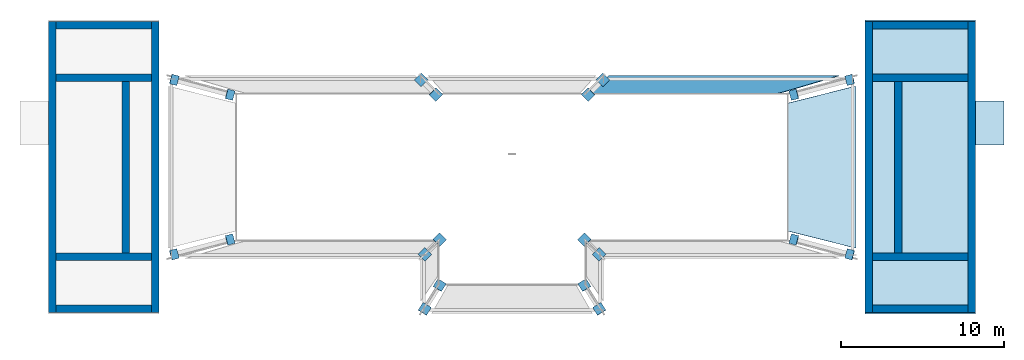
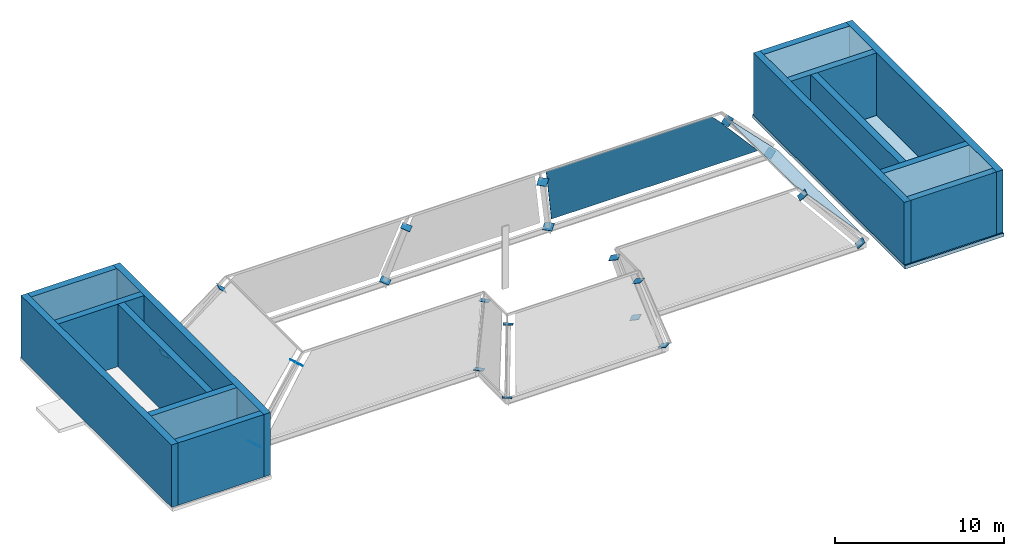
# One storey, part 2 of 5: 20 discrete accessories, 14 walls, 3 slabs, 2 plates, 2 elements without a shape of their own.
"""IFC4 building model written with IfcOpenShell, lengths in metres."""

import ifcopenshell
import ifcopenshell.guid

model = None  # the IFC model being written
_history = None  # IfcOwnerHistory: only IFC2X3 demands one
_inside = {}  # id of a spatial element -> (the spatial element, [elements in it])
_under = {}  # id of a project, library or spatial element -> (it, [spatial elements below it])
_declared = {}  # id of a project -> (the project, [libraries it declares])
_typed = {}  # id of a type object -> (the type object, [elements of that type])
_made_of = {}  # id of a material, layer set ... -> (it, [elements and type objects made of it])


def new_model(schema):
    """Start an empty IFC model of exactly this schema.

    Asked for "IFC4X3", IfcOpenShell would pick the latest addendum, in which some entities
    have other attributes; the version numbers below select the first issue.
    IFC2X3 requires an IfcOwnerHistory on every rooted entity: one is made here for all.
    """
    global model, _history
    if schema == "IFC4X3":
        model = ifcopenshell.file(schema_version=(4, 3, 0, 0))
    else:
        model = ifcopenshell.file(schema=schema)
    _inside.clear()
    _under.clear()
    _declared.clear()
    _typed.clear()
    _made_of.clear()
    _history = None
    if model.schema == "IFC2X3":
        org = make("IfcOrganization", Name="unknown")
        user = make(
            "IfcPersonAndOrganization",
            ThePerson=make("IfcPerson", FamilyName="unknown"),
            TheOrganization=org,
        )
        app = make(
            "IfcApplication",
            ApplicationDeveloper=org,
            Version="unknown",
            ApplicationFullName="unknown",
            ApplicationIdentifier="unknown",
        )
        _history = make(
            "IfcOwnerHistory",
            OwningUser=user,
            OwningApplication=app,
            ChangeAction="ADDED",
            CreationDate=0,
        )
    return model


def make(cls, **values):
    """One entity of the class cls with the attributes given. An attribute that is None is left unset."""
    return model.create_entity(
        cls, **{name: value for name, value in values.items() if value is not None}
    )


def rooted(cls, **values):
    """An entity with a GlobalId (a new one), such as an element, a storey or a relation."""
    return make(cls, GlobalId=ifcopenshell.guid.new(), OwnerHistory=_history, **values)


def si_unit(unit_type, name, prefix=None):
    """IfcSIUnit, for example si_unit("LENGTHUNIT", "METRE", prefix="MILLI")."""
    return make("IfcSIUnit", UnitType=unit_type, Prefix=prefix, Name=name)


def assignment(units):
    """IfcUnitAssignment: the units of a project."""
    return None if units is None else make("IfcUnitAssignment", Units=units)


def point(xyz):
    """IfcCartesianPoint."""
    return None if xyz is None else make("IfcCartesianPoint", Coordinates=xyz)


def direction(xyz):
    """IfcDirection."""
    return None if xyz is None else make("IfcDirection", DirectionRatios=xyz)


def frame(location, z_axis=None, x_axis=None):
    """IfcAxis2Placement3D, a coordinate frame: its origin and axes. An axis left out is left unset."""
    return make(
        "IfcAxis2Placement3D",
        Location=point(location),
        Axis=direction(z_axis),
        RefDirection=direction(x_axis),
    )


def frame_2d(location, x_axis=None):
    """IfcAxis2Placement2D, a coordinate frame in the plane: its origin and x axis."""
    return make(
        "IfcAxis2Placement2D", Location=point(location), RefDirection=direction(x_axis)
    )


def origin():
    """The frame at (0, 0, 0) with its axes left unset."""
    return frame((0.0, 0.0, 0.0))


def origin_2d():
    """The frame at (0, 0) in the plane with its x axis left unset."""
    return frame_2d((0.0, 0.0))


def place(relative_to, where):
    """IfcLocalPlacement: puts the frame where relative to a parent placement (None: the world)."""
    return make(
        "IfcLocalPlacement", PlacementRelTo=relative_to, RelativePlacement=where
    )


def context(
    kind, dimensions, precision=None, world=None, true_north=None, identifier=None
):
    """IfcGeometricRepresentationContext, for example the 3D "Model" context."""
    return make(
        "IfcGeometricRepresentationContext",
        ContextIdentifier=identifier,
        ContextType=kind,
        CoordinateSpaceDimension=dimensions,
        Precision=precision,
        WorldCoordinateSystem=world,
        TrueNorth=true_north,
    )


def subcontext(parent, identifier, kind, view, scale=None):
    """IfcGeometricRepresentationSubContext, for example "Body" below "Model"."""
    return make(
        "IfcGeometricRepresentationSubContext",
        ContextIdentifier=identifier,
        ContextType=kind,
        ParentContext=parent,
        TargetScale=scale,
        TargetView=view,
    )


def project(units=None, contexts=None):
    """IfcProject with its units and contexts."""
    return rooted(
        "IfcProject",
        Name="project",
        RepresentationContexts=contexts,
        UnitsInContext=assignment(units),
    )


def spatial(cls, under=None, at=None, **own):
    """A site, building, storey or space (cls), placed at a placement, below another one or the project."""
    s = rooted(cls, ObjectPlacement=at, **own)
    if under is not None:
        _under.setdefault(under.id(), (under, []))[1].append(s)
    return s


def polyline(points):
    """IfcPolyline through the points."""
    return make("IfcPolyline", Points=[point(p) for p in points])


def profile(cls, at=None, kind="AREA", **sizes):
    """A parametric profile (cls). Its sizes go by their IFC names, for example OverallWidth=200.0."""
    return make(cls, ProfileType=kind, Position=at, **sizes)


def rectangle(**sizes):
    """IfcRectangleProfileDef."""
    return profile("IfcRectangleProfileDef", **sizes)


def outline(outer, holes=None, kind="AREA"):
    """IfcArbitraryClosedProfileDef: a profile drawn as a closed curve; with holes, ...WithVoids."""
    if holes is None:
        return make("IfcArbitraryClosedProfileDef", ProfileType=kind, OuterCurve=outer)
    return make(
        "IfcArbitraryProfileDefWithVoids",
        ProfileType=kind,
        OuterCurve=outer,
        InnerCurves=holes,
    )


def extrude(swept, where, along, depth):
    """IfcExtrudedAreaSolid: the profile swept, set in the frame where, extruded along a direction by depth."""
    return make(
        "IfcExtrudedAreaSolid",
        SweptArea=swept,
        Position=where,
        ExtrudedDirection=direction(along),
        Depth=depth,
    )


def shape(context_of_items, identifier, shape_type, items):
    """IfcShapeRepresentation: the items that make up one representation, for example the "Body"."""
    return make(
        "IfcShapeRepresentation",
        ContextOfItems=context_of_items,
        RepresentationIdentifier=identifier,
        RepresentationType=shape_type,
        Items=items,
    )


def material(Name=None, Category=None):
    """IfcMaterial."""
    return make("IfcMaterial", Name=Name, Category=Category)


def layer(
    of_material, thickness, ventilated=None, Name=None, Category=None, Priority=None
):
    """IfcMaterialLayer: one layer of a wall or slab, of a material (None: an air gap)."""
    return make(
        "IfcMaterialLayer",
        Material=of_material,
        LayerThickness=thickness,
        IsVentilated=ventilated,
        Name=Name,
        Category=Category,
        Priority=Priority,
    )


def layer_set(layers, Name=None):
    """IfcMaterialLayerSet."""
    return make("IfcMaterialLayerSet", MaterialLayers=layers, LayerSetName=Name)


def material_profile(
    of_material, cross_section, Name=None, Category=None, Priority=None
):
    """IfcMaterialProfile: a cross section and its material."""
    return make(
        "IfcMaterialProfile",
        Name=Name,
        Material=of_material,
        Profile=cross_section,
        Priority=Priority,
        Category=Category,
    )


def profile_set(profiles, Name=None, composite=None):
    """IfcMaterialProfileSet."""
    return make(
        "IfcMaterialProfileSet",
        Name=Name,
        MaterialProfiles=profiles,
        CompositeProfile=composite,
    )


def made_of(thing, what):
    """Note that an element or type object is made of a material, layer set ...; save() writes the relation."""
    if what is not None:
        _made_of.setdefault(what.id(), (what, []))[1].append(thing)
    return thing


def type_object(cls, material=None, **own):
    """A type object (cls), such as IfcWallType, which elements share."""
    return made_of(rooted(cls, **own), material)


def element(
    cls,
    number,
    at=None,
    inside=None,
    cuts=None,
    type_object=None,
    material=None,
    context=None,
    identifier="Body",
    shape_type=None,
    held_by="IfcProductDefinitionShape",
    body=None,
    shapes=None,
    **own,
):
    """One element of the class cls, such as IfcWall. Its Tag is "e" and its number.

    at: its placement. inside: the storey or other place that contains it. cuts: it is an
    opening in that element (IfcRelVoidsElement). A single representation is given by context,
    identifier, shape_type and body (its items); several are given by shapes. held_by: the class
    of the entity that holds the representations. save() writes the other relations.
    """
    e = rooted(cls, Tag="e%d" % number, ObjectPlacement=at, **own)
    if body is not None:
        shapes = [shape(context, identifier, shape_type, body)]
    if shapes is not None:
        e.Representation = make(held_by, Representations=shapes)
    if inside is not None:
        _inside.setdefault(inside.id(), (inside, []))[1].append(e)
    if cuts is not None:
        rooted(
            "IfcRelVoidsElement", RelatingBuildingElement=cuts, RelatedOpeningElement=e
        )
    if type_object is not None:
        _typed.setdefault(type_object.id(), (type_object, []))[1].append(e)
    return made_of(e, material)


def aggregate(whole, parts):
    """IfcRelAggregates: a whole, such as a stair, and the parts it consists of."""
    return rooted("IfcRelAggregates", RelatingObject=whole, RelatedObjects=parts)


def save(model, path):
    """Write the relations noted so far, then the file.

    IfcRelAggregates (storeys below a building ...), IfcRelContainedInSpatialStructure (elements
    in a storey), IfcRelDefinesByType, IfcRelAssociatesMaterial and IfcRelDeclares: one each for
    every whole, place, type object, material and project.
    """
    for whole, parts in _under.values():
        aggregate(whole, parts)
    for where, things in _inside.values():
        rooted(
            "IfcRelContainedInSpatialStructure",
            RelatedElements=things,
            RelatingStructure=where,
        )
    for kind, things in _typed.values():
        rooted("IfcRelDefinesByType", RelatedObjects=things, RelatingType=kind)
    for what, things in _made_of.values():
        rooted("IfcRelAssociatesMaterial", RelatedObjects=things, RelatingMaterial=what)
    for by, libraries in _declared.values():
        rooted("IfcRelDeclares", RelatingContext=by, RelatedDefinitions=libraries)
    model.write(path)


model = new_model("IFC4")

# Units and contexts
model_context = context("Model", 3, precision=1e-05, world=origin(), true_north=direction((0.0, 1.0)))
body_context = subcontext(model_context, "Body", "Model", "MODEL_VIEW")
ifc_project = project(units=[si_unit("LENGTHUNIT", "METRE"), si_unit("AREAUNIT", "SQUARE_METRE"), si_unit("VOLUMEUNIT", "CUBIC_METRE"), si_unit("PLANEANGLEUNIT", "RADIAN"), si_unit("MASSUNIT", "GRAM", prefix="KILO")], contexts=[model_context])

# Site, building, storey
site_placement = place(None, origin())
site = spatial("IfcSite", under=ifc_project, at=site_placement, CompositionType="ELEMENT")
building_placement = place(site_placement, origin())
building = spatial("IfcBuilding", under=site, at=building_placement, Name="Perihelion Cross Residences", CompositionType="ELEMENT")
storey_placement = place(building_placement, frame((0.0, 0.0, 303.300048828125)))
storey = spatial("IfcBuildingStorey", under=building, at=storey_placement, Name="L77", CompositionType="ELEMENT", Elevation=303.300048828125)

# Curtain wall, plate
ifc_material_1 = material(Name="Bronze anodised aluminium, tinted glazing", Category="aluminium")
curtain_wall_type = type_object("IfcCurtainWallType", Name="CW6", PredefinedType="NOTDEFINED", material=ifc_material_1)
curtain_wall_1_placement = place(storey_placement, origin())
curtain_wall_1 = element("IfcCurtainWall", 1, at=curtain_wall_1_placement, inside=storey, type_object=curtain_wall_type, Name="Curtain wall CW6 L77 crown 1", PredefinedType="NOTDEFINED")
ifc_material_2 = material(Name="Tinted laminated glass", Category="glass")
ifc_layer_1 = layer(ifc_material_2, 0.033935546875)
ifc_layer_set_1 = layer_set([ifc_layer_1], Name="CW6 panel")
plate_type = type_object("IfcPlateType", Name="CW6 panel", PredefinedType="CURTAIN_PANEL", material=ifc_layer_set_1)
plate_1_placement = place(storey_placement, frame((16.89013671875, 3.916015625, 4.474365234375), z_axis=(0.731782173576, 0.0, 0.68153859057), x_axis=(0.671707822804, 0.169235593563, -0.72122667356)))
plate_1 = element("IfcPlate", 2, at=plate_1_placement, type_object=plate_type, Name="Curtain wall panel CW6-P L77 crown 1", PredefinedType="CURTAIN_PANEL", context=body_context, shape_type="SweptSolid", body=[
    extrude(outline(polyline([(0.0, 0.0), (6.089248463792902, 2.220446049250313e-16), (6.088175492386359, -0.005265459759849045), (6.16504582339156, -0.01896047919197763), (4.492770087579801, -9.757775877744955), (4.415734487440261, -9.745043334509747), (4.4149894983690725, -9.75036511291604), (-1.3254584574008306, -7.719059099312633), (0.0, 0.0)])), origin(), (0.0, 0.0, -1.0), 0.033935546875),
])
aggregate(curtain_wall_1, [plate_1])

curtain_wall_2_placement = place(storey_placement, origin())
curtain_wall_2 = element("IfcCurtainWall", 3, at=curtain_wall_2_placement, inside=storey, type_object=curtain_wall_type, Name="Curtain wall CW6 L77 crown 2", PredefinedType="NOTDEFINED")
plate_2_placement = place(storey_placement, frame((4.90380859375, 4.49951171875, 4.466064453125), z_axis=(2.686388e-06, 0.970598839661, 0.240702913238), x_axis=(0.235819005971, 0.233913752517, -0.94322518669)))
plate_2 = element("IfcPlate", 4, at=plate_2_placement, type_object=plate_type, Name="Curtain wall panel CW6-P L77 crown 2", PredefinedType="CURTAIN_PANEL", context=body_context, shape_type="SweptSolid", body=[
    extrude(outline(polyline([(0.0, 0.0), (0.4627738090419126, 1.3877787807814457e-17), (4.673586879510713, 0.1043306277005106), (7.996124680919654, -13.587662656024529), (3.4156002035677866, -11.393052145851065), (2.66580259606027, -10.985624068901759), (0.0, 0.0)])), origin(), (0.0, 0.0, -1.0), 0.033935546875),
])
aggregate(curtain_wall_2, [plate_2])

# Slabs
ifc_material_3 = material(Name="Concrete C40/50", Category="concrete")
ifc_layer_2 = layer(ifc_material_3, 0.25)
ifc_layer_set_2 = layer_set([ifc_layer_2], Name="Core roof slab 250")
slab_type_1 = type_object("IfcSlabType", Name="Core roof slab 250", PredefinedType="ROOF", material=ifc_layer_set_2)
slab_1_placement = place(storey_placement, frame((0.0, 0.0, -0.25)))
element("IfcSlab", 5, at=slab_1_placement, inside=storey, type_object=slab_type_1, Name="East core head-house and stack deck", PredefinedType="ROOF", context=body_context, shape_type="SweptSolid", body=[
    extrude(outline(polyline([(28.35009765625, -9.0), (21.60009765625, -9.0), (21.60009765625, 9.0), (28.35009765625, 9.0), (28.35009765625, 4.050048828125), (30.10009765625, 4.050048828125), (30.10009765625, 1.35009765625), (28.35009765625, 1.35009765625), (28.35009765625, -9.0)])), origin(), (0.0, 0.0, 1.0), 0.25),
])
ifc_material_4 = material(Name="Concrete C50/60", Category="concrete")
ifc_layer_3 = layer(ifc_material_4, 0.39990234375)
ifc_layer_set_3 = layer_set([ifc_layer_3], Name="Stack roof slab 400")
slab_type_2 = type_object("IfcSlabType", Name="Stack roof slab 400", PredefinedType="ROOF", material=ifc_layer_set_3)
slab_2_placement = place(storey_placement, frame((0.0, 0.0, 4.099853515625)))
element("IfcSlab", 6, at=slab_2_placement, inside=storey, type_object=slab_type_2, Name="East core stack fan deck 1, step 1", PredefinedType="ROOF", context=body_context, shape_type="SweptSolid", body=[
    extrude(outline(polyline([(22.050048828125, 5.699951171875), (27.89990234375, 5.699951171875), (27.89990234375, 8.449951171875), (22.050048828125, 8.449951171875), (22.050048828125, 5.699951171875)])), origin(), (0.0, 0.0, 1.0), 0.400146484375),
])
slab_3_placement = place(storey_placement, frame((0.0, 0.0, 4.099853515625)))
element("IfcSlab", 7, at=slab_3_placement, inside=storey, type_object=slab_type_2, Name="East core stack fan deck 2, step 1", PredefinedType="ROOF", context=body_context, shape_type="SweptSolid", body=[
    extrude(outline(polyline([(22.050048828125, -8.449951171875), (27.89990234375, -8.449951171875), (27.89990234375, -5.699951171875), (22.050048828125, -5.699951171875), (22.050048828125, -8.449951171875)])), origin(), (0.0, 0.0, 1.0), 0.400146484375),
])

# Walls
ifc_material_5 = material(Name="Concrete C60/75", Category="concrete")
ifc_layer_4 = layer(ifc_material_5, 0.449951171875)
ifc_layer_set_4 = layer_set([ifc_layer_4], Name="Core wall, outer 450")
wall_type = type_object("IfcWallType", Name="Core wall, outer 450", PredefinedType="SHEAR", material=ifc_layer_set_4)
for number, where, z_axis, x_axis, name in (
    (8, (21.824951171875, -8.89990234375, 0.0), (0.0, 0.0, 1.0), (0.0, 1.0, 0.0), "East core stack wall, step 1"),
    (9, (28.125, -8.89990234375, 0.0), (0.0, 0.0, 1.0), (0.0, 1.0, 0.0), "East core stack wall, step 1"),
):
    element("IfcWall", number, at=place(storey_placement, frame(where, z_axis=z_axis, x_axis=x_axis)), inside=storey, type_object=wall_type, Name=name, PredefinedType="SHEAR", context=body_context, shape_type="SweptSolid", body=[
        extrude(rectangle(XDim=17.7998046875, YDim=0.449951171875, at=frame_2d((8.89990234375, 0.0))), origin(), (0.0, 0.0, 1.0), 4.5),
    ])
for number, where, z_axis, x_axis, name in (
    (10, (22.050048828125, 8.675048828125, 0.0), (0.0, 0.0, 1.0), (1.0, 0.0, 0.0), "East core stack wall, step 1"),
    (11, (22.050048828125, -8.675048828125, 0.0), (0.0, 0.0, 1.0), (1.0, 0.0, 0.0), "East core stack wall, step 1"),
    (12, (22.050048828125, 5.47509765625, 0.0), (0.0, 0.0, 1.0), (1.0, 0.0, 0.0), "East core stack partition, step 1"),
    (13, (22.050048828125, -5.47509765625, 0.0), (0.0, 0.0, 1.0), (1.0, 0.0, 0.0), "East core stack partition, step 1"),
):
    element("IfcWall", number, at=place(storey_placement, frame(where, z_axis=z_axis, x_axis=x_axis)), inside=storey, type_object=wall_type, Name=name, PredefinedType="SHEAR", context=body_context, shape_type="SweptSolid", body=[
        extrude(rectangle(XDim=5.849853515625, YDim=0.449951171875, at=frame_2d((2.9248046875, 0.0))), origin(), (0.0, 0.0, 1.0), 4.5),
    ])
wall_1_placement = place(storey_placement, frame((23.625, -5.25, 0.0), z_axis=(0.0, 0.0, 1.0), x_axis=(0.0, 1.0, 0.0)))
element("IfcWall", 14, at=wall_1_placement, inside=storey, type_object=wall_type, Name="East core stack partition, step 1", PredefinedType="SHEAR", context=body_context, shape_type="SweptSolid", body=[
    extrude(rectangle(XDim=10.5, YDim=0.449951171875, at=frame_2d((5.25, 0.0))), origin(), (0.0, 0.0, 1.0), 4.5),
])
for number, where, z_axis, x_axis, name in (
    (15, (-21.824951171875, -8.89990234375, 0.0), (0.0, 0.0, 1.0), (0.0, 1.0, 0.0), "West core stack wall, step 1"),
    (16, (-28.125, -8.89990234375, 0.0), (0.0, 0.0, 1.0), (0.0, 1.0, 0.0), "West core stack wall, step 1"),
):
    element("IfcWall", number, at=place(storey_placement, frame(where, z_axis=z_axis, x_axis=x_axis)), inside=storey, type_object=wall_type, Name=name, PredefinedType="SHEAR", context=body_context, shape_type="SweptSolid", body=[
        extrude(rectangle(XDim=17.7998046875, YDim=0.449951171875, at=frame_2d((8.89990234375, 0.0))), origin(), (0.0, 0.0, 1.0), 4.5),
    ])
for number, where, z_axis, x_axis, name in (
    (17, (-22.050048828125, 8.675048828125, 0.0), (0.0, 0.0, 1.0), (-1.0, 0.0, 0.0), "West core stack wall, step 1"),
    (18, (-22.050048828125, -8.675048828125, 0.0), (0.0, 0.0, 1.0), (-1.0, 0.0, 0.0), "West core stack wall, step 1"),
    (19, (-22.050048828125, 5.47509765625, 0.0), (0.0, 0.0, 1.0), (-1.0, 0.0, 0.0), "West core stack partition, step 1"),
    (20, (-22.050048828125, -5.47509765625, 0.0), (0.0, 0.0, 1.0), (-1.0, 0.0, 0.0), "West core stack partition, step 1"),
):
    element("IfcWall", number, at=place(storey_placement, frame(where, z_axis=z_axis, x_axis=x_axis)), inside=storey, type_object=wall_type, Name=name, PredefinedType="SHEAR", context=body_context, shape_type="SweptSolid", body=[
        extrude(rectangle(XDim=5.849853515625, YDim=0.449951171875, at=frame_2d((2.9248046875, 0.0))), origin(), (0.0, 0.0, 1.0), 4.5),
    ])
wall_2_placement = place(storey_placement, frame((-23.625, -5.25, 0.0), z_axis=(0.0, 0.0, 1.0), x_axis=(0.0, 1.0, 0.0)))
element("IfcWall", 21, at=wall_2_placement, inside=storey, type_object=wall_type, Name="West core stack partition, step 1", PredefinedType="SHEAR", context=body_context, shape_type="SweptSolid", body=[
    extrude(rectangle(XDim=10.5, YDim=0.449951171875, at=frame_2d((5.25, 0.0))), origin(), (0.0, 0.0, 1.0), 4.5),
])

# Discrete accessories
ifc_material_6 = material(Name="Structural steel S355 plate", Category="steel")
ifc_material_profile = material_profile(ifc_material_6, rectangle(XDim=0.60009765625, YDim=0.60009765625, at=origin_2d()), Name="Crown gusset plate")
ifc_profile_set = profile_set([ifc_material_profile], Name="Structural steel S355 plate")
discrete_accessory_type = type_object("IfcDiscreteAccessoryType", Name="Crown gusset plate", PredefinedType="BRACKET", material=ifc_profile_set)
for number, where, z_axis, x_axis, name in (
    (22, (20.66943359375, -5.340087890625, -0.261474609375), (-0.633205331387, 0.17047835845, 0.754975587422), (-0.259973473448, -0.965615758521, 0.0), "Crown gusset plate"),
    (23, (17.254150390625, -4.4306640625, 3.821533203125), (-0.633205331387, 0.17047835845, 0.754975587422), (-0.259973473448, -0.965615758521, 0.0), "Crown gusset plate"),
    (24, (20.66943359375, 5.340087890625, -0.261474609375), (-0.633205331387, -0.17047835845, 0.754975587422), (0.259973473448, -0.965615758521, 0.0), "Crown gusset plate"),
    (25, (17.254150390625, 4.4306640625, 3.821533203125), (-0.633205331387, -0.17047835845, 0.754975587422), (0.259973473448, -0.965615758521, 0.0), "Crown gusset plate"),
    (26, (5.563720703125, 5.3408203125, -0.264404296875), (-0.211999576001, -0.211999576001, 0.953998092006), (0.707106781187, -0.707106781187, 0.0), "Crown gusset plate"),
    (27, (4.654296875, 4.431396484375, 3.818603515625), (-0.211999576001, -0.211999576001, 0.953998092006), (0.707106781187, -0.707106781187, 0.0), "Crown gusset plate"),
    (28, (-5.563720703125, 5.3408203125, -0.264404296875), (0.211999576001, -0.211999576001, 0.953998092006), (0.707106781187, 0.707106781187, 0.0), "Crown gusset plate"),
    (29, (-4.654296875, 4.431396484375, 3.818603515625), (0.211999576001, -0.211999576001, 0.953998092006), (0.707106781187, 0.707106781187, 0.0), "Crown gusset plate"),
    (30, (-20.66943359375, 5.340087890625, -0.261474609375), (0.633205331387, -0.17047835845, 0.754975587422), (0.259973473448, 0.965615758521, 0.0), "Crown gusset plate"),
    (31, (-17.254150390625, 4.4306640625, 3.821533203125), (0.633205331387, -0.17047835845, 0.754975587422), (0.259973473448, 0.965615758521, 0.0), "Crown gusset plate"),
    (32, (-20.66943359375, -5.340087890625, -0.261474609375), (0.633205331387, 0.17047835845, 0.754975587422), (-0.259973473448, 0.965615758521, 0.0), "Crown gusset plate"),
    (33, (-17.254150390625, -4.4306640625, 3.821533203125), (0.633205331387, 0.17047835845, 0.754975587422), (-0.259973473448, 0.965615758521, 0.0), "Crown gusset plate"),
    (34, (-5.3408203125, -5.3408203125, -0.264404296875), (0.211999576001, 0.211999576001, 0.953998092006), (-0.707106781187, 0.707106781187, 0.0), "Crown gusset plate"),
    (35, (-4.431396484375, -4.431396484375, 3.818603515625), (0.211999576001, 0.211999576001, 0.953998092006), (-0.707106781187, 0.707106781187, 0.0), "Crown gusset plate"),
):
    element("IfcDiscreteAccessory", number, at=place(storey_placement, frame(where, z_axis=z_axis, x_axis=x_axis)), inside=storey, type_object=discrete_accessory_type, Name=name, PredefinedType="BRACKET", context=body_context, shape_type="SweptSolid", body=[
        extrude(rectangle(XDim=0.60009765625, YDim=0.60009765625, at=origin_2d()), origin(), (0.0, 0.0, 1.0), 0.030029296875),
    ])
discrete_accessory_1_placement = place(storey_placement, frame((-5.340576171875, -8.6787109375, -0.263916015625), z_axis=(0.204164982313, 0.3266639717, 0.922825720053), x_axis=(-0.847998304005, 0.529998940003, 0.0)))
element("IfcDiscreteAccessory", 36, at=discrete_accessory_1_placement, inside=storey, type_object=discrete_accessory_type, Name="Crown gusset plate", PredefinedType="BRACKET", context=body_context, shape_type="SweptSolid", body=[
    extrude(rectangle(XDim=0.60009765625, YDim=0.60009765625, at=origin_2d()), origin(), (0.0, 0.0, 1.0), 0.02978515625),
])
discrete_accessory_2_placement = place(storey_placement, frame((-4.43115234375, -7.223876953125, 3.819091796875), z_axis=(0.203615740594, 0.333929814574, 0.920343147484), x_axis=(-0.853796175794, 0.520607424265, 0.0)))
element("IfcDiscreteAccessory", 37, at=discrete_accessory_2_placement, inside=storey, type_object=discrete_accessory_type, Name="Crown gusset plate", PredefinedType="BRACKET", context=body_context, shape_type="SweptSolid", body=[
    extrude(rectangle(XDim=0.60009765625, YDim=0.60009765625, at=origin_2d()), origin(), (0.0, 0.0, 1.0), 0.030029296875),
])
discrete_accessory_3_placement = place(storey_placement, frame((5.340576171875, -8.6787109375, -0.263916015625), z_axis=(-0.204164982313, 0.3266639717, 0.922825720053), x_axis=(-0.847998304005, -0.529998940003, 0.0)))
element("IfcDiscreteAccessory", 38, at=discrete_accessory_3_placement, inside=storey, type_object=discrete_accessory_type, Name="Crown gusset plate", PredefinedType="BRACKET", context=body_context, shape_type="SweptSolid", body=[
    extrude(rectangle(XDim=0.60009765625, YDim=0.60009765625, at=origin_2d()), origin(), (0.0, 0.0, 1.0), 0.02978515625),
])
for number, where, z_axis, x_axis, name in (
    (39, (4.43115234375, -7.223876953125, 3.819091796875), (-0.203615740594, 0.333929814574, 0.920343147484), (-0.853796175794, -0.520607424265, 0.0), "Crown gusset plate"),
    (40, (5.3408203125, -5.3408203125, -0.264404296875), (-0.211999576001, 0.211999576001, 0.953998092006), (-0.707106781187, -0.707106781187, 0.0), "Crown gusset plate"),
    (41, (4.431396484375, -4.431396484375, 3.818603515625), (-0.211999576001, 0.211999576001, 0.953998092006), (-0.707106781187, -0.707106781187, 0.0), "Crown gusset plate"),
):
    element("IfcDiscreteAccessory", number, at=place(storey_placement, frame(where, z_axis=z_axis, x_axis=x_axis)), inside=storey, type_object=discrete_accessory_type, Name=name, PredefinedType="BRACKET", context=body_context, shape_type="SweptSolid", body=[
        extrude(rectangle(XDim=0.60009765625, YDim=0.60009765625, at=origin_2d()), origin(), (0.0, 0.0, 1.0), 0.030029296875),
    ])

save(model, "model.ifc")
